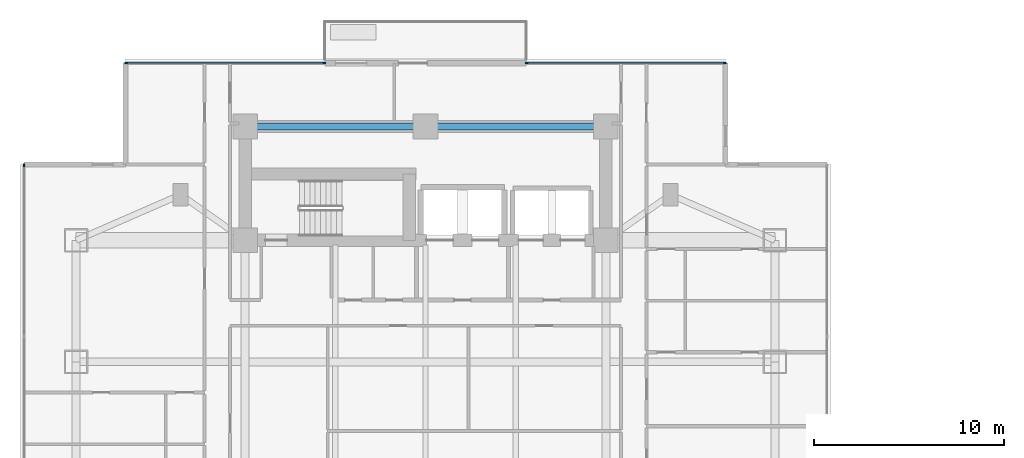
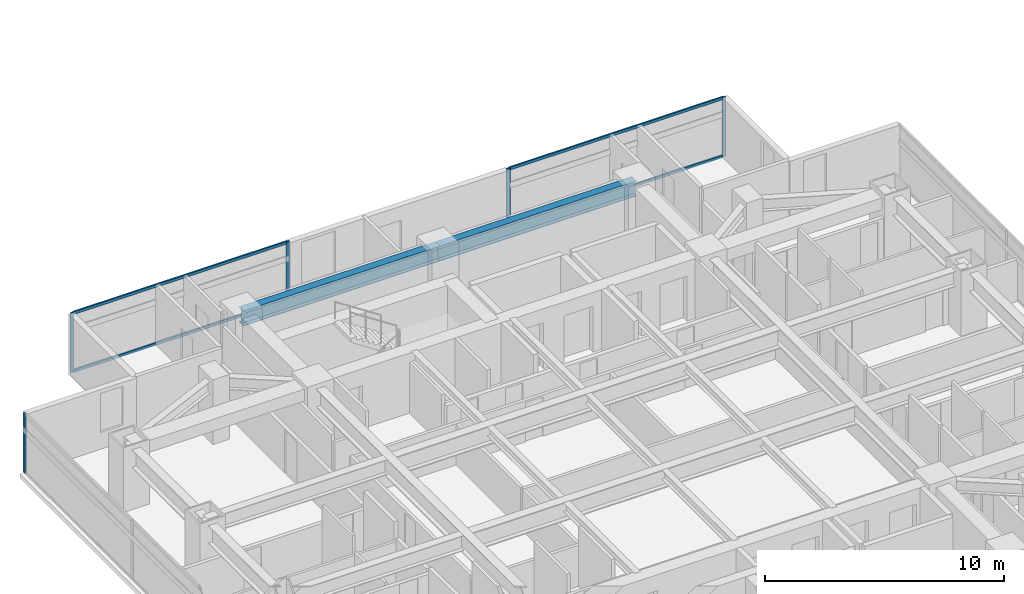
# One storey, part 7 of 25: 9 members, 2 beams, 3 elements without a shape of their own.
"""IFC4 building model written with IfcOpenShell, lengths in metres."""

from ifc_helpers import new_model, si_unit, direction, frame, origin, origin_2d, place, context, subcontext, project, spatial, rectangle, i_section, extrude, material, material_profile, profile_set, type_object, element, aggregate, save


model = new_model("IFC4")

# Units and contexts
model_context = context("Model", 3, precision=1e-05, world=origin(), true_north=direction((0.0, 1.0)))
body_context = subcontext(model_context, "Body", "Model", "MODEL_VIEW")
ifc_project = project(units=[si_unit("LENGTHUNIT", "METRE"), si_unit("AREAUNIT", "SQUARE_METRE"), si_unit("VOLUMEUNIT", "CUBIC_METRE"), si_unit("PLANEANGLEUNIT", "RADIAN"), si_unit("MASSUNIT", "GRAM", prefix="KILO")], contexts=[model_context])

# Site, building, storey
site_placement = place(None, origin())
site = spatial("IfcSite", under=ifc_project, at=site_placement, CompositionType="ELEMENT")
building_placement = place(site_placement, origin())
building = spatial("IfcBuilding", under=site, at=building_placement, Name="Mirazonda Arch Towers", CompositionType="ELEMENT")
storey_placement = place(building_placement, frame((0.0, 0.0, 58.699951171875)))
storey = spatial("IfcBuildingStorey", under=building, at=storey_placement, Name="L16", CompositionType="ELEMENT", Elevation=58.699951171875)

# Beams
ifc_material_1 = material(Name="Steel ASTM A992 Grade 50", Category="steel")
ifc_material_profile_1 = material_profile(ifc_material_1, i_section(OverallWidth=0.381103515625, OverallDepth=0.77294921875, WebThickness=0.0166015625, FlangeThickness=0.027099609375, at=origin_2d()), Name="W30X173")
ifc_profile_set_1 = profile_set([ifc_material_profile_1], Name="Steel ASTM A992 Grade 50")
beam_type = type_object("IfcBeamType", Name="BM-INT-W30X173", PredefinedType="USERDEFINED", material=ifc_profile_set_1)
for number, where, z_axis, x_axis, name in (
    (1, (11.0, 43.60009765625, 2.673583984375), (1.0, 0.0, 0.0), (0.0, 1.0, 0.0), "L16 Floor Beam BM-T1-L16-CN1"),
    (2, (20.5, 43.60009765625, 2.673583984375), (1.0, 0.0, 0.0), (0.0, 1.0, 0.0), "L16 Floor Beam BM-T1-L16-CN2"),
):
    element("IfcBeam", number, at=place(storey_placement, frame(where, z_axis=z_axis, x_axis=x_axis)), inside=storey, type_object=beam_type, Name=name, ObjectType="GIRDER", PredefinedType="USERDEFINED", context=body_context, shape_type="SweptSolid", body=[
        extrude(i_section(OverallWidth=0.381103515625, OverallDepth=0.77294921875, WebThickness=0.0166015625, FlangeThickness=0.027099609375, at=origin_2d()), origin(), (0.0, 0.0, 1.0), 9.5),
    ])

# Curtain wall, members
ifc_material_2 = material(Name="Anodised Aluminium and Low-E Glass", Category="aluminium")
curtain_wall_type = type_object("IfcCurtainWallType", Name="CW-HTL-UNIT", PredefinedType="NOTDEFINED", material=ifc_material_2)
curtain_wall_1_placement = place(storey_placement, origin())
curtain_wall_1 = element("IfcCurtainWall", 3, at=curtain_wall_1_placement, inside=storey, type_object=curtain_wall_type, Name="L16 Curtain Wall CW-L16-T1-NA", PredefinedType="NOTDEFINED")
ifc_material_3 = material(Name="Anodised Aluminium Alloy", Category="aluminium")
ifc_material_profile_2 = material_profile(ifc_material_3, rectangle(XDim=0.074951171875, YDim=0.1650390625, at=origin_2d()), Name="ALU-MULL-75x165")
ifc_profile_set_2 = profile_set([ifc_material_profile_2], Name="Anodised Aluminium Alloy")
member_type_1 = type_object("IfcMemberType", Name="MULL-CW-HTL-UNIT", PredefinedType="MULLION", material=ifc_profile_set_2)
member_1_placement = place(storey_placement, frame((4.737548828125, 46.93603515625, 0.0), z_axis=(0.0, 0.0, 1.0), x_axis=(0.0, 1.0, 0.0)))
member_1 = element("IfcMember", 4, at=member_1_placement, type_object=member_type_1, Name="CW-112 mullion 1", PredefinedType="MULLION", context=body_context, shape_type="SweptSolid", body=[
    extrude(rectangle(XDim=0.074951171875, YDim=0.1650390625, at=origin_2d()), origin(), (0.0, 0.0, 1.0), 3.0400390625),
])
member_2_placement = place(storey_placement, frame((15.172607421875, 46.93603515625, 0.0), z_axis=(0.0, 0.0, 1.0), x_axis=(0.0, 1.0, 0.0)))
member_2 = element("IfcMember", 5, at=member_2_placement, type_object=member_type_1, Name="CW-112 mullion 2", PredefinedType="MULLION", context=body_context, shape_type="SweptSolid", body=[
    extrude(rectangle(XDim=0.074951171875, YDim=0.1650390625, at=origin_2d()), origin(), (0.0, 0.0, 1.0), 3.0400390625),
])

curtain_wall_2_placement = place(storey_placement, origin())
curtain_wall_2 = element("IfcCurtainWall", 6, at=curtain_wall_2_placement, inside=storey, type_object=curtain_wall_type, Name="L16 Curtain Wall CW-L16-T1-NB", PredefinedType="NOTDEFINED")
member_3_placement = place(storey_placement, frame((25.827392578125, 46.93603515625, 0.0), z_axis=(0.0, 0.0, 1.0), x_axis=(0.0, 1.0, 0.0)))
member_3 = element("IfcMember", 7, at=member_3_placement, type_object=member_type_1, Name="CW-112 mullion 1", PredefinedType="MULLION", context=body_context, shape_type="SweptSolid", body=[
    extrude(rectangle(XDim=0.074951171875, YDim=0.1650390625, at=origin_2d()), origin(), (0.0, 0.0, 1.0), 3.0400390625),
])
member_4_placement = place(storey_placement, frame((36.262451171875, 46.93603515625, 0.0), z_axis=(0.0, 0.0, 1.0), x_axis=(0.0, 1.0, 0.0)))
member_4 = element("IfcMember", 8, at=member_4_placement, type_object=member_type_1, Name="CW-112 mullion 2", PredefinedType="MULLION", context=body_context, shape_type="SweptSolid", body=[
    extrude(rectangle(XDim=0.074951171875, YDim=0.1650390625, at=origin_2d()), origin(), (0.0, 0.0, 1.0), 3.0400390625),
])

# Curtain wall, member
curtain_wall_3_placement = place(storey_placement, origin())
curtain_wall_3 = element("IfcCurtainWall", 9, at=curtain_wall_3_placement, inside=storey, type_object=curtain_wall_type, Name="L16 T1 W Facade CW-L16-T1-W", PredefinedType="NOTDEFINED")
member_5_placement = place(storey_placement, frame((-0.639892578125, 41.55859375, 0.0), z_axis=(0.0, 0.0, 1.0), x_axis=(1.0, 0.0, 0.0)))
member_5 = element("IfcMember", 10, at=member_5_placement, type_object=member_type_1, Name="CW-112 mullion 1", PredefinedType="MULLION", context=body_context, shape_type="SweptSolid", body=[
    extrude(rectangle(XDim=0.074951171875, YDim=0.1650390625, at=origin_2d()), origin(), (0.0, 0.0, 1.0), 3.0400390625),
])
aggregate(curtain_wall_3, [member_5])

# Member
ifc_material_profile_3 = material_profile(ifc_material_3, rectangle(XDim=0.074951171875, YDim=0.14501953125, at=origin_2d()), Name="ALU-TRAN-75x145")
ifc_profile_set_3 = profile_set([ifc_material_profile_3], Name="Anodised Aluminium Alloy")
member_type_2 = type_object("IfcMemberType", Name="TRAN-CW-HTL-UNIT", PredefinedType="USERDEFINED", material=ifc_profile_set_3)
member_6_placement = place(storey_placement, frame((4.77490234375, 46.93603515625, 0.03759765625), z_axis=(1.0, 0.0, 0.0), x_axis=(0.0, 1.0, 0.0)))
member_6 = element("IfcMember", 11, at=member_6_placement, type_object=member_type_2, Name="CW-112 transom 1.1", ObjectType="TRANSOM", PredefinedType="USERDEFINED", context=body_context, shape_type="SweptSolid", body=[
    extrude(rectangle(XDim=0.074951171875, YDim=0.14501953125, at=origin_2d()), origin(), (0.0, 0.0, 1.0), 10.360107421875),
])

member_7_placement = place(storey_placement, frame((4.77490234375, 46.93603515625, 3.00244140625), z_axis=(1.0, 0.0, 0.0), x_axis=(0.0, 1.0, 0.0)))
member_7 = element("IfcMember", 12, at=member_7_placement, type_object=member_type_2, Name="CW-112 transom 1.2", ObjectType="TRANSOM", PredefinedType="USERDEFINED", context=body_context, shape_type="SweptSolid", body=[
    extrude(rectangle(XDim=0.074951171875, YDim=0.14501953125, at=origin_2d()), origin(), (0.0, 0.0, 1.0), 10.360107421875),
])

aggregate(curtain_wall_1, [member_1, member_2, member_6, member_7])

member_8_placement = place(storey_placement, frame((25.864990234375, 46.93603515625, 0.03759765625), z_axis=(1.0, 0.0, 0.0), x_axis=(0.0, 1.0, 0.0)))
member_8 = element("IfcMember", 13, at=member_8_placement, type_object=member_type_2, Name="CW-112 transom 1.1", ObjectType="TRANSOM", PredefinedType="USERDEFINED", context=body_context, shape_type="SweptSolid", body=[
    extrude(rectangle(XDim=0.074951171875, YDim=0.14501953125, at=origin_2d()), origin(), (0.0, 0.0, 1.0), 10.360107421875),
])

member_9_placement = place(storey_placement, frame((25.864990234375, 46.93603515625, 3.00244140625), z_axis=(1.0, 0.0, 0.0), x_axis=(0.0, 1.0, 0.0)))
member_9 = element("IfcMember", 14, at=member_9_placement, type_object=member_type_2, Name="CW-112 transom 1.2", ObjectType="TRANSOM", PredefinedType="USERDEFINED", context=body_context, shape_type="SweptSolid", body=[
    extrude(rectangle(XDim=0.074951171875, YDim=0.14501953125, at=origin_2d()), origin(), (0.0, 0.0, 1.0), 10.360107421875),
])

aggregate(curtain_wall_2, [member_3, member_4, member_8, member_9])

save(model, "model.ifc")
